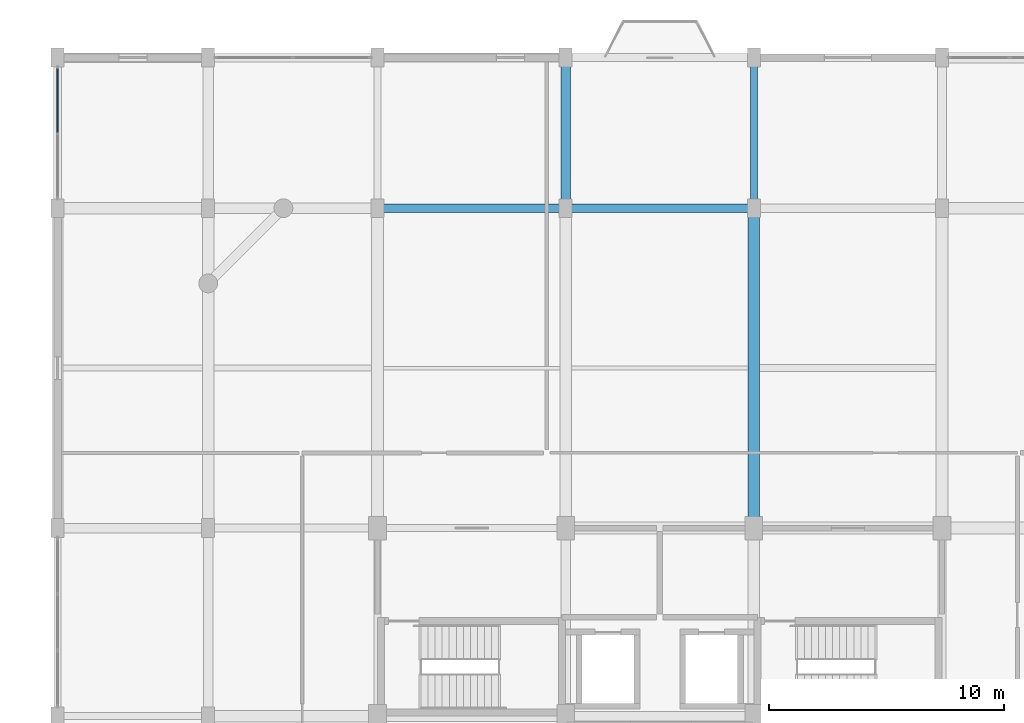
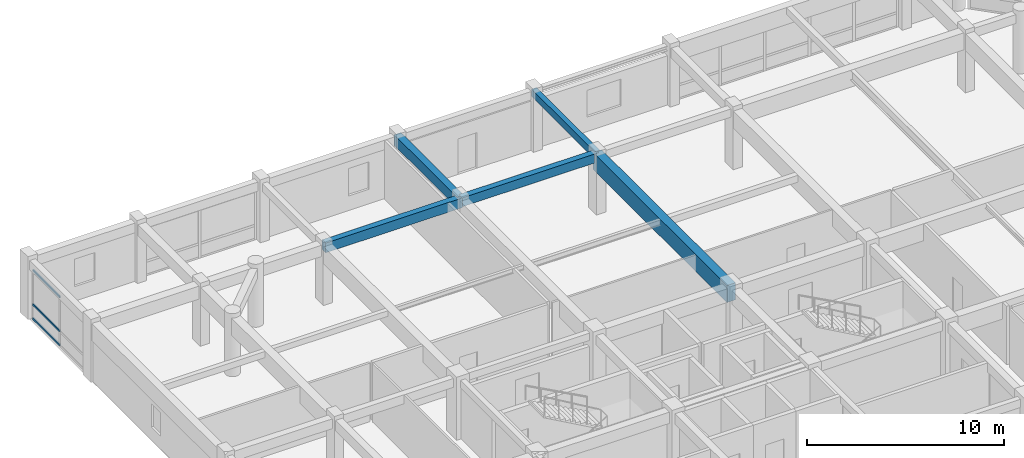
# One storey, part 7 of 15: 5 beams, 3 members, 1 element without a shape of its own.
"""IFC4 building model written with IfcOpenShell, lengths in metres."""

from ifc_helpers import new_model, si_unit, direction, frame, origin, origin_2d, place, context, subcontext, project, spatial, rectangle, extrude, material, material_profile, profile_set, type_object, element, aggregate, save


model = new_model("IFC4")

# Units and contexts
model_context = context("Model", 3, precision=1e-05, world=origin(), true_north=direction((0.0, 1.0)))
body_context = subcontext(model_context, "Body", "Model", "MODEL_VIEW")
ifc_project = project(units=[si_unit("LENGTHUNIT", "METRE"), si_unit("AREAUNIT", "SQUARE_METRE"), si_unit("VOLUMEUNIT", "CUBIC_METRE"), si_unit("PLANEANGLEUNIT", "RADIAN"), si_unit("MASSUNIT", "GRAM", prefix="KILO")], contexts=[model_context])

# Site, building, storey
site_placement = place(None, origin())
site = spatial("IfcSite", under=ifc_project, at=site_placement, CompositionType="ELEMENT")
building_placement = place(site_placement, origin())
building = spatial("IfcBuilding", under=site, at=building_placement, Name="Vellmiral Cinema and Media Centre", CompositionType="ELEMENT")
storey_placement = place(building_placement, frame((0.0, 0.0, 31.699951171875)))
storey = spatial("IfcBuildingStorey", under=building, at=storey_placement, Name="L07", CompositionType="ELEMENT", Elevation=31.699951171875)

# Beams
ifc_material_1 = material(Name="Concrete C40/50", Category="concrete")
ifc_material_profile_1 = material_profile(ifc_material_1, rectangle(XDim=0.300048828125, YDim=0.449951171875, at=origin_2d()), Name="RC 300x450")
ifc_profile_set_1 = profile_set([ifc_material_profile_1], Name="Concrete C40/50")
beam_type_1 = type_object("IfcBeamType", Name="BM-RC-300x450", PredefinedType="BEAM", material=ifc_profile_set_1)
beam_1_placement = place(storey_placement, frame((140.0, 108.800048828125, 3.41015625), z_axis=(0.0, 1.0, 0.0), x_axis=(-1.0, 0.0, 0.0)))
element("IfcBeam", 1, at=beam_1_placement, inside=storey, type_object=beam_type_1, Name="Grid Beam L07-Y078", PredefinedType="BEAM", context=body_context, shape_type="SweptSolid", body=[
    extrude(rectangle(XDim=0.300048828125, YDim=0.449951171875, at=origin_2d()), origin(), (0.0, 0.0, 1.0), 6.39990234375),
])
ifc_material_2 = material(Name="Concrete C40/50", Category="concrete")
ifc_material_profile_2 = material_profile(ifc_material_2, rectangle(XDim=0.35009765625, YDim=0.550048828125, at=origin_2d()), Name="RC 350x550")
ifc_profile_set_2 = profile_set([ifc_material_profile_2], Name="Concrete C40/50")
beam_type_2 = type_object("IfcBeamType", Name="BM-RC-350x550", PredefinedType="BEAM", material=ifc_profile_set_2)
beam_2_placement = place(storey_placement, frame((132.0, 108.800048828125, 3.360107421875), z_axis=(1.0, 0.0, 0.0), x_axis=(0.0, 1.0, 0.0)))
element("IfcBeam", 2, at=beam_2_placement, inside=storey, type_object=beam_type_2, Name="Grid Beam L07-X039", PredefinedType="BEAM", context=body_context, shape_type="SweptSolid", body=[
    extrude(rectangle(XDim=0.35009765625, YDim=0.550048828125, at=origin_2d()), origin(), (0.0, 0.0, 1.0), 8.0),
])
ifc_material_3 = material(Name="Concrete C40/50", Category="concrete")
ifc_material_profile_3 = material_profile(ifc_material_3, rectangle(XDim=0.35009765625, YDim=0.60009765625, at=origin_2d()), Name="RC 350x600")
ifc_profile_set_3 = profile_set([ifc_material_profile_3], Name="Concrete C40/50")
beam_type_3 = type_object("IfcBeamType", Name="BM-RC-350x600", PredefinedType="BEAM", material=ifc_profile_set_3)
beam_3_placement = place(storey_placement, frame((124.0, 108.800048828125, 3.3349609375), z_axis=(1.0, 0.0, 0.0), x_axis=(0.0, 1.0, 0.0)))
element("IfcBeam", 3, at=beam_3_placement, inside=storey, type_object=beam_type_3, Name="Grid Beam L07-X038", PredefinedType="BEAM", context=body_context, shape_type="SweptSolid", body=[
    extrude(rectangle(XDim=0.35009765625, YDim=0.60009765625, at=origin_2d()), origin(), (0.0, 0.0, 1.0), 8.0),
])
ifc_material_4 = material(Name="Concrete C40/50", Category="concrete")
ifc_material_profile_4 = material_profile(ifc_material_4, rectangle(XDim=0.39990234375, YDim=0.64990234375, at=origin_2d()), Name="RC 400x650")
ifc_profile_set_4 = profile_set([ifc_material_profile_4], Name="Concrete C40/50")
beam_type_4 = type_object("IfcBeamType", Name="BM-RC-400x650", PredefinedType="BEAM", material=ifc_profile_set_4)
beam_4_placement = place(storey_placement, frame((132.0, 108.800048828125, 3.31005859375), z_axis=(0.0, 1.0, 0.0), x_axis=(-1.0, 0.0, 0.0)))
element("IfcBeam", 4, at=beam_4_placement, inside=storey, type_object=beam_type_4, Name="Grid Beam L07-Y072", PredefinedType="BEAM", context=body_context, shape_type="SweptSolid", body=[
    extrude(rectangle(XDim=0.39990234375, YDim=0.64990234375, at=origin_2d()), origin(), (0.0, 0.0, 1.0), 6.39990234375),
])
ifc_material_5 = material(Name="Concrete C40/50", Category="concrete")
ifc_material_profile_5 = material_profile(ifc_material_5, rectangle(XDim=0.5, YDim=1.050048828125, at=origin_2d()), Name="RC 500x1050")
ifc_profile_set_5 = profile_set([ifc_material_profile_5], Name="Concrete C40/50")
beam_type_5 = type_object("IfcBeamType", Name="BM-RCG-500x1050", PredefinedType="BEAM", material=ifc_profile_set_5)
beam_5_placement = place(storey_placement, frame((140.0, 95.199951171875, 3.110107421875), z_axis=(0.0, 1.0, 0.0), x_axis=(-1.0, 0.0, 0.0)))
element("IfcBeam", 5, at=beam_5_placement, inside=storey, type_object=beam_type_5, Name="Grid Beam L07-Y077", PredefinedType="BEAM", context=body_context, shape_type="SweptSolid", body=[
    extrude(rectangle(XDim=0.5, YDim=1.050048828125, at=origin_2d()), origin(), (0.0, 0.0, 1.0), 13.60009765625),
])

# Curtain wall, members
ifc_material_6 = material(Name="Thermally Broken Aluminium and Triple Glazing", Category="aluminium")
curtain_wall_type = type_object("IfcCurtainWallType", Name="CW-TOWER-LOW-N", PredefinedType="USERDEFINED", material=ifc_material_6)
curtain_wall_placement = place(storey_placement, origin())
curtain_wall = element("IfcCurtainWall", 6, at=curtain_wall_placement, inside=storey, type_object=curtain_wall_type, Name="Curtain Wall L07-B024", ObjectType="UNITISED CURTAIN WALL", PredefinedType="USERDEFINED")
ifc_material_7 = material(Name="Thermally Broken Anodised Aluminium", Category="aluminium")
ifc_material_profile_6 = material_profile(ifc_material_7, rectangle(XDim=0.06494140625, YDim=0.135009765625, at=origin_2d()), Name="MULL 65x135")
ifc_profile_set_6 = profile_set([ifc_material_profile_6], Name="Thermally Broken Anodised Aluminium")
member_type = type_object("IfcMemberType", Name="CWT-65x135", PredefinedType="USERDEFINED", material=ifc_profile_set_6)
member_1_placement = place(storey_placement, frame((110.39990234375, 114.735107421875, 0.032470703125), z_axis=(0.0, -1.0, 0.0), x_axis=(1.0, 0.0, 0.0)))
member_1 = element("IfcMember", 7, at=member_1_placement, type_object=member_type, Name="CW-05 transom 1.1", ObjectType="TRANSOM", PredefinedType="USERDEFINED", context=body_context, shape_type="SweptSolid", body=[
    extrude(rectangle(XDim=0.06494140625, YDim=0.135009765625, at=origin_2d()), origin(), (0.0, 0.0, 1.0), 2.70263671875),
])
member_2_placement = place(storey_placement, frame((110.39990234375, 114.735107421875, 0.900146484375), z_axis=(0.0, -1.0, 0.0), x_axis=(1.0, 0.0, 0.0)))
member_2 = element("IfcMember", 8, at=member_2_placement, type_object=member_type, Name="CW-05 transom 1.2", ObjectType="TRANSOM", PredefinedType="USERDEFINED", context=body_context, shape_type="SweptSolid", body=[
    extrude(rectangle(XDim=0.06494140625, YDim=0.135009765625, at=origin_2d()), origin(), (0.0, 0.0, 1.0), 2.70263671875),
])
member_3_placement = place(storey_placement, frame((110.39990234375, 114.735107421875, 3.007568359375), z_axis=(0.0, -1.0, 0.0), x_axis=(1.0, 0.0, 0.0)))
member_3 = element("IfcMember", 9, at=member_3_placement, type_object=member_type, Name="CW-05 transom 1.3", ObjectType="TRANSOM", PredefinedType="USERDEFINED", context=body_context, shape_type="SweptSolid", body=[
    extrude(rectangle(XDim=0.06494140625, YDim=0.135009765625, at=origin_2d()), origin(), (0.0, 0.0, 1.0), 2.70263671875),
])
aggregate(curtain_wall, [member_1, member_2, member_3])

save(model, "model.ifc")
